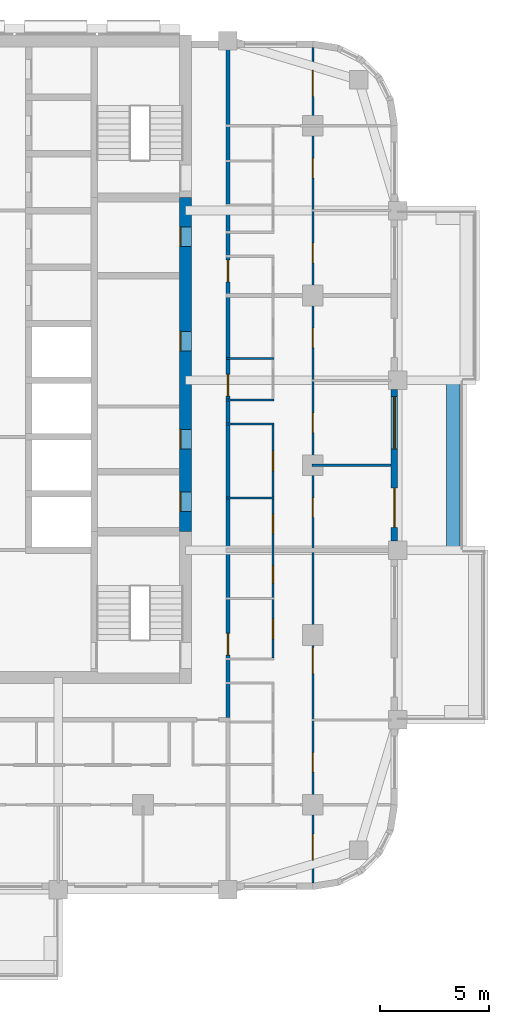
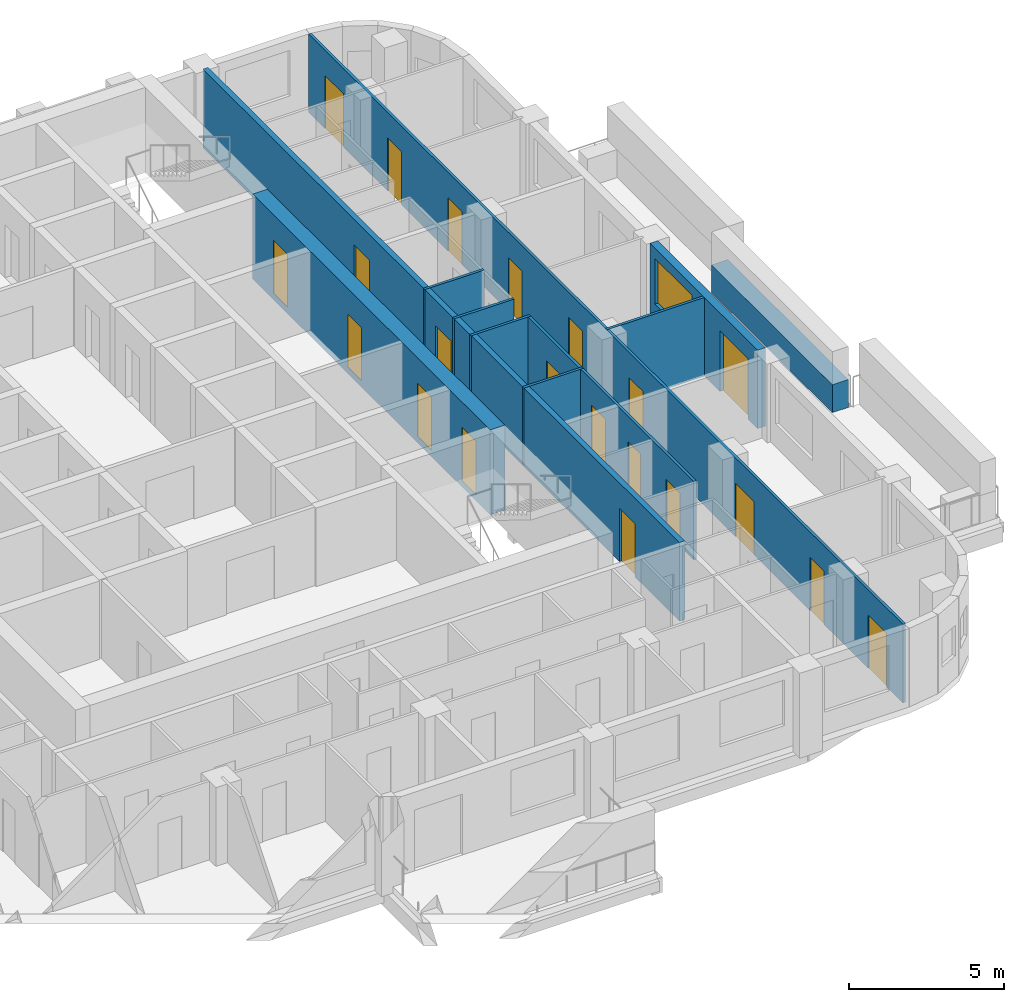
# One storey, part 7 of 14: 21 doors, 11 walls, 1 window, 22 openings.
"""IFC4 building model written with IfcOpenShell, lengths in metres."""

from ifc_helpers import new_model, si_unit, direction, frame, frame_2d, origin, place, context, subcontext, project, spatial, rectangle, extrude, material, layer, layer_set, type_object, element, fill, save


model = new_model("IFC4")

# Units and contexts
model_context = context("Model", 3, precision=1e-05, world=origin(), true_north=direction((0.0, 1.0)))
body_context = subcontext(model_context, "Body", "Model", "MODEL_VIEW")
ifc_project = project(units=[si_unit("LENGTHUNIT", "METRE"), si_unit("AREAUNIT", "SQUARE_METRE"), si_unit("VOLUMEUNIT", "CUBIC_METRE"), si_unit("PLANEANGLEUNIT", "RADIAN"), si_unit("MASSUNIT", "GRAM", prefix="KILO")], contexts=[model_context])

# Site, building, storey
site_placement = place(None, origin())
site = spatial("IfcSite", under=ifc_project, at=site_placement, CompositionType="ELEMENT")
building_placement = place(site_placement, origin())
building = spatial("IfcBuilding", under=site, at=building_placement, Name="Ludao Terraces", CompositionType="ELEMENT")
storey_placement = place(building_placement, frame((0.0, 0.0, 113.5)))
storey = spatial("IfcBuildingStorey", under=building, at=storey_placement, Name="L31", CompositionType="ELEMENT", Elevation=113.5)

# Wall, openings, doors
ifc_material_1 = material(Name="Concrete C60", Category="concrete")
ifc_layer_1 = layer(ifc_material_1, 0.550048828125)
ifc_layer_set_1 = layer_set([ifc_layer_1], Name="Core wall 550 C60")
wall_type_1 = type_object("IfcWallType", Name="Core wall 550 C60", PredefinedType="SOLIDWALL", material=ifc_layer_set_1)
wall_1_placement = place(storey_placement, frame((94.75, 61.949951171875, -0.25), z_axis=(0.0, 0.0, 1.0), x_axis=(0.0, 1.0, 0.0)))
wall_1 = element("IfcWall", 1, at=wall_1_placement, inside=storey, type_object=wall_type_1, Name="Core wall L31 outer-E", PredefinedType="SOLIDWALL", context=body_context, shape_type="SweptSolid", body=[
    extrude(rectangle(XDim=15.35009765625, YDim=0.550048828125, at=frame_2d((7.675048828125, 0.0))), origin(), (0.0, 0.0, 1.0), 3.35009765625),
])
opening_1_placement = place(wall_1_placement, frame((0.925048828125, 0.0, 0.25)))
opening_1 = element("IfcOpeningElement", 2, at=opening_1_placement, cuts=wall_1, Name="Opening R09-048", PredefinedType="OPENING", context=body_context, shape_type="SweptSolid", body=[
    extrude(rectangle(XDim=0.89990234375, YDim=2.10009765625, at=frame_2d((0.449951171875, 1.050048828125))), frame((0.0, 0.28515625, 0.0), z_axis=(0.0, -1.0, 0.0), x_axis=(1.0, 0.0, 0.0)), (0.0, 0.0, 1.0), 0.570068359375),
])
opening_2_placement = place(wall_1_placement, frame((3.800048828125, 0.0, 0.25)))
opening_2 = element("IfcOpeningElement", 3, at=opening_2_placement, cuts=wall_1, Name="Opening R09-053", PredefinedType="OPENING", context=body_context, shape_type="SweptSolid", body=[
    extrude(rectangle(XDim=0.89990234375, YDim=2.10009765625, at=frame_2d((0.449951171875, 1.050048828125))), frame((0.0, 0.28515625, 0.0), z_axis=(0.0, -1.0, 0.0), x_axis=(1.0, 0.0, 0.0)), (0.0, 0.0, 1.0), 0.570068359375),
])
opening_3_placement = place(wall_1_placement, frame((8.300048828125, 0.0, 0.25)))
opening_3 = element("IfcOpeningElement", 4, at=opening_3_placement, cuts=wall_1, Name="Opening R09-064", PredefinedType="OPENING", context=body_context, shape_type="SweptSolid", body=[
    extrude(rectangle(XDim=0.89990234375, YDim=2.10009765625, at=frame_2d((0.449951171875, 1.050048828125))), frame((0.0, 0.28515625, 0.0), z_axis=(0.0, -1.0, 0.0), x_axis=(1.0, 0.0, 0.0)), (0.0, 0.0, 1.0), 0.570068359375),
])
opening_4_placement = place(wall_1_placement, frame((13.10009765625, 0.0, 0.25)))
opening_4 = element("IfcOpeningElement", 5, at=opening_4_placement, cuts=wall_1, Name="Opening R09-080", PredefinedType="OPENING", context=body_context, shape_type="SweptSolid", body=[
    extrude(rectangle(XDim=0.89990234375, YDim=2.10009765625, at=frame_2d((0.449951171875, 1.050048828125))), frame((0.0, 0.28515625, 0.0), z_axis=(0.0, -1.0, 0.0), x_axis=(1.0, 0.0, 0.0)), (0.0, 0.0, 1.0), 0.570068359375),
])
ifc_material_2 = material(Name="Steel Q235", Category="steel")
door_type_1 = type_object("IfcDoorType", Name="INT Riser door 900", OperationType="SINGLE_SWING_LEFT", PredefinedType="DOOR", material=ifc_material_2)
door_1_placement = place(opening_1_placement, origin())
door_1 = element("IfcDoor", 6, at=door_1_placement, inside=storey, type_object=door_type_1, Name="DOOR 048", OperationType="SINGLE_SWING_LEFT", OverallHeight=2.10009765625, OverallWidth=0.89990234375, PredefinedType="DOOR", context=body_context, shape_type="SweptSolid", body=[
    extrude(rectangle(XDim=0.89990234375, YDim=2.10009765625, at=frame_2d((0.449951171875, 1.050048828125))), frame((0.0, 0.26025390625, 0.0), z_axis=(0.0, -1.0, 0.0), x_axis=(1.0, 0.0, 0.0)), (0.0, 0.0, 1.0), 0.050048828125),
])
fill(opening_1, door_1)
door_2_placement = place(opening_4_placement, origin())
door_2 = element("IfcDoor", 7, at=door_2_placement, inside=storey, type_object=door_type_1, Name="DOOR 080", OperationType="SINGLE_SWING_RIGHT", OverallHeight=2.10009765625, OverallWidth=0.89990234375, PredefinedType="DOOR", context=body_context, shape_type="SweptSolid", body=[
    extrude(rectangle(XDim=0.89990234375, YDim=2.10009765625, at=frame_2d((0.449951171875, 1.050048828125))), frame((0.0, 0.26025390625, 0.0), z_axis=(0.0, -1.0, 0.0), x_axis=(1.0, 0.0, 0.0)), (0.0, 0.0, 1.0), 0.050048828125),
])
fill(opening_4, door_2)
ifc_material_3 = material(Name="Timber door leaf", Category="wood")
door_type_2 = type_object("IfcDoorType", Name="INT Room door 900", OperationType="SINGLE_SWING_LEFT", PredefinedType="DOOR", material=ifc_material_3)
door_3_placement = place(opening_2_placement, origin())
door_3 = element("IfcDoor", 8, at=door_3_placement, inside=storey, type_object=door_type_2, Name="DOOR 053", OperationType="SINGLE_SWING_LEFT", OverallHeight=2.10009765625, OverallWidth=0.89990234375, PredefinedType="DOOR", context=body_context, shape_type="SweptSolid", body=[
    extrude(rectangle(XDim=0.89990234375, YDim=2.10009765625, at=frame_2d((0.449951171875, 1.050048828125))), frame((0.0, 0.26025390625, 0.0), z_axis=(0.0, -1.0, 0.0), x_axis=(1.0, 0.0, 0.0)), (0.0, 0.0, 1.0), 0.050048828125),
])
fill(opening_2, door_3)
door_4_placement = place(opening_3_placement, origin())
door_4 = element("IfcDoor", 9, at=door_4_placement, inside=storey, type_object=door_type_2, Name="DOOR 064", OperationType="SINGLE_SWING_RIGHT", OverallHeight=2.10009765625, OverallWidth=0.89990234375, PredefinedType="DOOR", context=body_context, shape_type="SweptSolid", body=[
    extrude(rectangle(XDim=0.89990234375, YDim=2.10009765625, at=frame_2d((0.449951171875, 1.050048828125))), frame((0.0, 0.26025390625, 0.0), z_axis=(0.0, -1.0, 0.0), x_axis=(1.0, 0.0, 0.0)), (0.0, 0.0, 1.0), 0.050048828125),
])
fill(opening_3, door_4)

# Wall
ifc_material_4 = material(Name="Concrete C40", Category="concrete")
ifc_layer_2 = layer(ifc_material_4, 0.60009765625)
ifc_layer_set_2 = layer_set([ifc_layer_2], Name="ENV Planter trough 600")
wall_type_2 = type_object("IfcWallType", Name="ENV Planter trough 600", PredefinedType="USERDEFINED", material=ifc_layer_set_2)
wall_2_placement = place(storey_placement, frame((107.050048828125, 61.10009765625, 0.0), z_axis=(0.0, 0.0, 1.0), x_axis=(0.0, 1.0, 0.0)))
element("IfcWall", 10, at=wall_2_placement, inside=storey, type_object=wall_type_2, Name="PL-L31-E2", ObjectType="PLANTER", PredefinedType="USERDEFINED", context=body_context, shape_type="SweptSolid", body=[
    extrude(rectangle(XDim=7.7998046875, YDim=0.60009765625, at=frame_2d((3.89990234375, 0.0))), origin(), (0.0, 0.0, 1.0), 1.10009765625),
])

# Wall, openings, door, window
ifc_material_5 = material(Name="Granite cladding", Category="masonry")
ifc_layer_3 = layer(ifc_material_5, 0.0400390625, Category="stone")
ifc_material_6 = material(Name="Mineral wool")
ifc_layer_4 = layer(ifc_material_6, 0.06005859375)
ifc_layer_5 = layer(ifc_material_4, 0.199951171875, Category="concrete")
ifc_layer_set_3 = layer_set([ifc_layer_3, ifc_layer_4, ifc_layer_5], Name="ENV Stone-clad wall 300")
wall_type_3 = type_object("IfcWallType", Name="ENV Stone-clad wall 300", PredefinedType="SOLIDWALL", material=ifc_layer_set_3)
wall_3_placement = place(storey_placement, frame((104.35009765625, 61.52490234375, 0.0), z_axis=(0.0, 0.0, 1.0), x_axis=(0.0, 1.0, 0.0)))
wall_3 = element("IfcWall", 11, at=wall_3_placement, inside=storey, type_object=wall_type_3, Name="EW-L31-E3", PredefinedType="SOLIDWALL", context=body_context, shape_type="SweptSolid", body=[
    extrude(rectangle(XDim=6.9501953125, YDim=0.300048828125, at=frame_2d((3.47509765625, 0.0))), origin(), (0.0, 0.0, 1.0), 3.10009765625),
])
opening_5_placement = place(wall_3_placement, frame((0.625, 0.0, 0.0)))
opening_5 = element("IfcOpeningElement", 12, at=opening_5_placement, cuts=wall_3, Name="Opening BD", PredefinedType="OPENING", context=body_context, shape_type="SweptSolid", body=[
    extrude(rectangle(XDim=1.800048828125, YDim=2.39990234375, at=frame_2d((0.89990234375, 1.199951171875))), frame((0.0, 0.16015625, 0.0), z_axis=(0.0, -1.0, 0.0), x_axis=(1.0, 0.0, 0.0)), (0.0, 0.0, 1.0), 0.320068359375),
])
opening_6_placement = place(wall_3_placement, frame((4.22509765625, 0.0, 0.89990234375)))
opening_6 = element("IfcOpeningElement", 13, at=opening_6_placement, cuts=wall_3, Name="Opening W1", PredefinedType="OPENING", context=body_context, shape_type="SweptSolid", body=[
    extrude(rectangle(XDim=2.39990234375, YDim=1.800048828125, at=frame_2d((1.199951171875, 0.89990234375))), frame((0.0, 0.16015625, 0.0), z_axis=(0.0, -1.0, 0.0), x_axis=(1.0, 0.0, 0.0)), (0.0, 0.0, 1.0), 0.320068359375),
])
ifc_material_7 = material(Name="Aluminium glazed door", Category="aluminium")
ifc_layer_6 = layer(ifc_material_7, 0.06005859375)
ifc_layer_set_4 = layer_set([ifc_layer_6], Name="ENV Balcony door BD 1800x2400")
door_type_3 = type_object("IfcDoorType", Name="ENV Balcony door BD 1800x2400", OperationType="DOUBLE_DOOR_SINGLE_SWING", PredefinedType="DOOR", material=ifc_layer_set_4)
door_5_placement = place(opening_5_placement, origin())
door_5 = element("IfcDoor", 14, at=door_5_placement, inside=storey, type_object=door_type_3, Name="BD-L31-E3-1", OperationType="DOUBLE_DOOR_SINGLE_SWING", OverallHeight=2.39990234375, OverallWidth=1.800048828125, PredefinedType="DOOR", context=body_context, shape_type="SweptSolid", body=[
    extrude(rectangle(XDim=1.800048828125, YDim=2.39990234375, at=frame_2d((0.89990234375, 1.199951171875))), frame((0.0, 0.02490234375, 0.0), z_axis=(0.0, -1.0, 0.0), x_axis=(1.0, 0.0, 0.0)), (0.0, 0.0, 1.0), 0.050048828125),
])
fill(opening_5, door_5)
ifc_material_8 = material(Name="Clear glass in aluminium frame", Category="aluminium")
ifc_layer_7 = layer(ifc_material_8, 0.06005859375)
ifc_layer_set_5 = layer_set([ifc_layer_7], Name="ENV Window W1 2400x1800")
window_type = type_object("IfcWindowType", Name="ENV Window W1 2400x1800", PartitioningType="DOUBLE_PANEL_VERTICAL", PredefinedType="WINDOW", material=ifc_layer_set_5)
window_placement = place(opening_6_placement, origin())
window = element("IfcWindow", 15, at=window_placement, inside=storey, type_object=window_type, Name="W-L31-E3-2", OverallHeight=1.800048828125, OverallWidth=2.39990234375, PartitioningType="DOUBLE_PANEL_VERTICAL", PredefinedType="WINDOW", context=body_context, shape_type="SweptSolid", body=[
    extrude(rectangle(XDim=2.39990234375, YDim=1.800048828125, at=frame_2d((1.199951171875, 0.89990234375))), frame((0.0, 0.030029296875, 0.0), z_axis=(0.0, -1.0, 0.0), x_axis=(1.0, 0.0, 0.0)), (0.0, 0.0, 1.0), 0.06005859375),
])
fill(opening_6, window)

# Wall, openings, doors
ifc_material_9 = material(Name="Autoclaved aerated concrete block B06 A3.5", Category="concrete")
ifc_layer_8 = layer(ifc_material_9, 0.199951171875)
ifc_layer_set_6 = layer_set([ifc_layer_8], Name="INT Entrance wall 200")
wall_type_4 = type_object("IfcWallType", Name="INT Entrance wall 200", PredefinedType="PARTITIONING", material=ifc_layer_set_6)
wall_4_placement = place(storey_placement, frame((96.699951171875, 53.400146484375, 0.0), z_axis=(0.0, 0.0, 1.0), x_axis=(0.0, 1.0, 0.0)))
wall_4 = element("IfcWall", 16, at=wall_4_placement, inside=storey, type_object=wall_type_4, Name="PW-L31-PW072", PredefinedType="PARTITIONING", context=body_context, shape_type="SweptSolid", body=[
    extrude(rectangle(XDim=30.800048828125, YDim=0.199951171875, at=frame_2d((15.39990234375, 0.0))), origin(), (0.0, 0.0, 1.0), 3.10009765625),
])
opening_7_placement = place(wall_4_placement, frame((2.875, 0.0, 0.0)))
opening_7 = element("IfcOpeningElement", 17, at=opening_7_placement, cuts=wall_4, Name="Opening R09-034", PredefinedType="OPENING", context=body_context, shape_type="SweptSolid", body=[
    extrude(rectangle(XDim=1.0, YDim=2.10009765625, at=frame_2d((0.5, 1.050048828125))), frame((0.0, 0.10986328125, 0.0), z_axis=(0.0, -1.0, 0.0), x_axis=(1.0, 0.0, 0.0)), (0.0, 0.0, 1.0), 0.219970703125),
])
opening_8_placement = place(wall_4_placement, frame((14.77490234375, 0.0, 0.0)))
opening_8 = element("IfcOpeningElement", 18, at=opening_8_placement, cuts=wall_4, Name="Opening R09-058", PredefinedType="OPENING", context=body_context, shape_type="SweptSolid", body=[
    extrude(rectangle(XDim=1.0, YDim=2.10009765625, at=frame_2d((0.5, 1.050048828125))), frame((0.0, 0.10986328125, 0.0), z_axis=(0.0, -1.0, 0.0), x_axis=(1.0, 0.0, 0.0)), (0.0, 0.0, 1.0), 0.219970703125),
])
opening_9_placement = place(wall_4_placement, frame((20.02490234375, 0.0, 0.0)))
opening_9 = element("IfcOpeningElement", 19, at=opening_9_placement, cuts=wall_4, Name="Opening R09-073", PredefinedType="OPENING", context=body_context, shape_type="SweptSolid", body=[
    extrude(rectangle(XDim=1.0, YDim=2.10009765625, at=frame_2d((0.5, 1.050048828125))), frame((0.0, 0.10986328125, 0.0), z_axis=(0.0, -1.0, 0.0), x_axis=(1.0, 0.0, 0.0)), (0.0, 0.0, 1.0), 0.219970703125),
])
door_type_4 = type_object("IfcDoorType", Name="INT Flat entrance door 1000", OperationType="SINGLE_SWING_LEFT", PredefinedType="DOOR", material=ifc_material_2)
door_6_placement = place(opening_7_placement, origin())
door_6 = element("IfcDoor", 20, at=door_6_placement, inside=storey, type_object=door_type_4, Name="DOOR 034", OperationType="SINGLE_SWING_LEFT", OverallHeight=2.10009765625, OverallWidth=1.0, PredefinedType="DOOR", context=body_context, shape_type="SweptSolid", body=[
    extrude(rectangle(XDim=1.0, YDim=2.10009765625, at=frame_2d((0.5, 1.050048828125))), frame((0.0, 0.02490234375, 0.0), z_axis=(0.0, -1.0, 0.0), x_axis=(1.0, 0.0, 0.0)), (0.0, 0.0, 1.0), 0.050048828125),
])
fill(opening_7, door_6)
door_7_placement = place(opening_8_placement, origin())
door_7 = element("IfcDoor", 21, at=door_7_placement, inside=storey, type_object=door_type_4, Name="DOOR 058", OperationType="SINGLE_SWING_LEFT", OverallHeight=2.10009765625, OverallWidth=1.0, PredefinedType="DOOR", context=body_context, shape_type="SweptSolid", body=[
    extrude(rectangle(XDim=1.0, YDim=2.10009765625, at=frame_2d((0.5, 1.050048828125))), frame((0.0, 0.02490234375, 0.0), z_axis=(0.0, -1.0, 0.0), x_axis=(1.0, 0.0, 0.0)), (0.0, 0.0, 1.0), 0.050048828125),
])
fill(opening_8, door_7)
door_8_placement = place(opening_9_placement, origin())
door_8 = element("IfcDoor", 22, at=door_8_placement, inside=storey, type_object=door_type_4, Name="DOOR 073", OperationType="SINGLE_SWING_RIGHT", OverallHeight=2.10009765625, OverallWidth=1.0, PredefinedType="DOOR", context=body_context, shape_type="SweptSolid", body=[
    extrude(rectangle(XDim=1.0, YDim=2.10009765625, at=frame_2d((0.5, 1.050048828125))), frame((0.0, 0.02490234375, 0.0), z_axis=(0.0, -1.0, 0.0), x_axis=(1.0, 0.0, 0.0)), (0.0, 0.0, 1.0), 0.050048828125),
])
fill(opening_9, door_8)

# Walls
ifc_material_10 = material(Name="Gypsum plasterboard", Category="gypsum")
ifc_layer_9 = layer(ifc_material_10, 0.012451171875, Category="gypsum")
ifc_layer_10 = layer(ifc_material_6, 0.06005859375, Name="insulation")
ifc_layer_11 = layer(ifc_material_2, 0.014892578125, Name="stud")
ifc_layer_12 = layer(ifc_material_10, 0.012451171875, Category="gypsum")
ifc_layer_set_7 = layer_set([ifc_layer_9, ifc_layer_10, ifc_layer_11, ifc_layer_12], Name="INT Partition 100")
wall_type_5 = type_object("IfcWallType", Name="INT Partition 100", PredefinedType="PARTITIONING", material=ifc_layer_set_7)
wall_5_placement = place(storey_placement, frame((96.60009765625, 63.5, 0.0), z_axis=(0.0, 0.0, 1.0), x_axis=(1.0, 0.0, 0.0)))
element("IfcWall", 23, at=wall_5_placement, inside=storey, type_object=wall_type_5, Name="PW-L31-PW020", PredefinedType="PARTITIONING", context=body_context, shape_type="SweptSolid", body=[
    extrude(rectangle(XDim=2.219970703125, YDim=0.10009765625, at=frame_2d((1.10986328125, 0.0))), origin(), (0.0, 0.0, 1.0), 3.10009765625),
])
wall_6_placement = place(storey_placement, frame((100.550048828125, 65.0, 0.0), z_axis=(0.0, 0.0, 1.0), x_axis=(1.0, 0.0, 0.0)))
element("IfcWall", 24, at=wall_6_placement, inside=storey, type_object=wall_type_5, Name="PW-L31-PW023", PredefinedType="PARTITIONING", context=body_context, shape_type="SweptSolid", body=[
    extrude(rectangle(XDim=3.650146484375, YDim=0.10009765625, at=frame_2d((1.8251953125, 0.0))), origin(), (0.0, 0.0, 1.0), 3.10009765625),
])
for number, where, z_axis, x_axis, name in (
    (25, (96.60009765625, 66.89990234375, 0.0), (0.0, 0.0, 1.0), (1.0, 0.0, 0.0), "PW-L31-PW025"),
    (26, (96.60009765625, 68.0, 0.0), (0.0, 0.0, 1.0), (1.0, 0.0, 0.0), "PW-L31-PW029"),
    (27, (96.60009765625, 69.89990234375, 0.0), (0.0, 0.0, 1.0), (1.0, 0.0, 0.0), "PW-L31-PW033"),
):
    element("IfcWall", number, at=place(storey_placement, frame(where, z_axis=z_axis, x_axis=x_axis)), inside=storey, type_object=wall_type_5, Name=name, PredefinedType="PARTITIONING", context=body_context, shape_type="SweptSolid", body=[
        extrude(rectangle(XDim=2.219970703125, YDim=0.10009765625, at=frame_2d((1.10986328125, 0.0))), origin(), (0.0, 0.0, 1.0), 3.10009765625),
    ])

# Wall, openings, doors
wall_7_placement = place(storey_placement, frame((98.77001953125, 56.150146484375, 0.0), z_axis=(0.0, 0.0, 1.0), x_axis=(0.0, 1.0, 0.0)))
wall_7 = element("IfcWall", 28, at=wall_7_placement, inside=storey, type_object=wall_type_5, Name="PW-L31-PW074", PredefinedType="PARTITIONING", context=body_context, shape_type="SweptSolid", body=[
    extrude(rectangle(XDim=10.699951171875, YDim=0.10009765625, at=frame_2d((5.35009765625, 0.0))), origin(), (0.0, 0.0, 1.0), 3.10009765625),
])
opening_10_placement = place(wall_7_placement, frame((0.885009765625, 0.0, 0.0)))
opening_10 = element("IfcOpeningElement", 29, at=opening_10_placement, cuts=wall_7, Name="Opening R09-036", PredefinedType="OPENING", context=body_context, shape_type="SweptSolid", body=[
    extrude(rectangle(XDim=0.89990234375, YDim=2.10009765625, at=frame_2d((0.449951171875, 1.050048828125))), frame((0.0, 0.06005859375, 0.0), z_axis=(0.0, -1.0, 0.0), x_axis=(1.0, 0.0, 0.0)), (0.0, 0.0, 1.0), 0.1201171875),
])
opening_11_placement = place(wall_7_placement, frame((3.43505859375, 0.0, 0.0)))
opening_11 = element("IfcOpeningElement", 30, at=opening_11_placement, cuts=wall_7, Name="Opening R09-040", PredefinedType="OPENING", context=body_context, shape_type="SweptSolid", body=[
    extrude(rectangle(XDim=0.800048828125, YDim=2.10009765625, at=frame_2d((0.39990234375, 1.050048828125))), frame((0.0, 0.06005859375, 0.0), z_axis=(0.0, -1.0, 0.0), x_axis=(1.0, 0.0, 0.0)), (0.0, 0.0, 1.0), 0.1201171875),
])
opening_12_placement = place(wall_7_placement, frame((5.699951171875, 0.0, 0.0)))
opening_12 = element("IfcOpeningElement", 31, at=opening_12_placement, cuts=wall_7, Name="Opening R09-042", PredefinedType="OPENING", context=body_context, shape_type="SweptSolid", body=[
    extrude(rectangle(XDim=0.89990234375, YDim=2.10009765625, at=frame_2d((0.449951171875, 1.050048828125))), frame((0.0, 0.06005859375, 0.0), z_axis=(0.0, -1.0, 0.0), x_axis=(1.0, 0.0, 0.0)), (0.0, 0.0, 1.0), 0.1201171875),
])
opening_13_placement = place(wall_7_placement, frame((8.60009765625, 0.0, 0.0)))
opening_13 = element("IfcOpeningElement", 32, at=opening_13_placement, cuts=wall_7, Name="Opening R09-050", PredefinedType="OPENING", context=body_context, shape_type="SweptSolid", body=[
    extrude(rectangle(XDim=0.89990234375, YDim=2.10009765625, at=frame_2d((0.449951171875, 1.050048828125))), frame((0.0, 0.06005859375, 0.0), z_axis=(0.0, -1.0, 0.0), x_axis=(1.0, 0.0, 0.0)), (0.0, 0.0, 1.0), 0.1201171875),
])
door_type_5 = type_object("IfcDoorType", Name="INT Bathroom door 900", OperationType="SINGLE_SWING_LEFT", PredefinedType="DOOR", material=ifc_material_3)
door_9_placement = place(opening_12_placement, origin())
door_9 = element("IfcDoor", 33, at=door_9_placement, inside=storey, type_object=door_type_5, Name="DOOR 042", OperationType="SINGLE_SWING_LEFT", OverallHeight=2.10009765625, OverallWidth=0.89990234375, PredefinedType="DOOR", context=body_context, shape_type="SweptSolid", body=[
    extrude(rectangle(XDim=0.89990234375, YDim=2.10009765625, at=frame_2d((0.449951171875, 1.050048828125))), frame((0.0, 0.02490234375, 0.0), z_axis=(0.0, -1.0, 0.0), x_axis=(1.0, 0.0, 0.0)), (0.0, 0.0, 1.0), 0.050048828125),
])
fill(opening_12, door_9)
door_10_placement = place(opening_10_placement, origin())
door_10 = element("IfcDoor", 34, at=door_10_placement, inside=storey, type_object=door_type_2, Name="DOOR 036", OperationType="SINGLE_SWING_LEFT", OverallHeight=2.10009765625, OverallWidth=0.89990234375, PredefinedType="DOOR", context=body_context, shape_type="SweptSolid", body=[
    extrude(rectangle(XDim=0.89990234375, YDim=2.10009765625, at=frame_2d((0.449951171875, 1.050048828125))), frame((0.0, 0.02490234375, 0.0), z_axis=(0.0, -1.0, 0.0), x_axis=(1.0, 0.0, 0.0)), (0.0, 0.0, 1.0), 0.050048828125),
])
fill(opening_10, door_10)
door_11_placement = place(opening_13_placement, origin())
door_11 = element("IfcDoor", 35, at=door_11_placement, inside=storey, type_object=door_type_2, Name="DOOR 050", OperationType="SINGLE_SWING_LEFT", OverallHeight=2.10009765625, OverallWidth=0.89990234375, PredefinedType="DOOR", context=body_context, shape_type="SweptSolid", body=[
    extrude(rectangle(XDim=0.89990234375, YDim=2.10009765625, at=frame_2d((0.449951171875, 1.050048828125))), frame((0.0, 0.02490234375, 0.0), z_axis=(0.0, -1.0, 0.0), x_axis=(1.0, 0.0, 0.0)), (0.0, 0.0, 1.0), 0.050048828125),
])
fill(opening_13, door_11)
door_type_6 = type_object("IfcDoorType", Name="INT Store door 800", OperationType="SINGLE_SWING_LEFT", PredefinedType="DOOR", material=ifc_material_3)
door_12_placement = place(opening_11_placement, origin())
door_12 = element("IfcDoor", 36, at=door_12_placement, inside=storey, type_object=door_type_6, Name="DOOR 040", OperationType="SINGLE_SWING_RIGHT", OverallHeight=2.10009765625, OverallWidth=0.800048828125, PredefinedType="DOOR", context=body_context, shape_type="SweptSolid", body=[
    extrude(rectangle(XDim=0.800048828125, YDim=2.10009765625, at=frame_2d((0.39990234375, 1.050048828125))), frame((0.0, 0.02490234375, 0.0), z_axis=(0.0, -1.0, 0.0), x_axis=(1.0, 0.0, 0.0)), (0.0, 0.0, 1.0), 0.050048828125),
])
fill(opening_11, door_12)

wall_8_placement = place(storey_placement, frame((100.60009765625, 45.800048828125, 0.0), z_axis=(0.0, 0.0, 1.0), x_axis=(0.0, 1.0, 0.0)))
wall_8 = element("IfcWall", 37, at=wall_8_placement, inside=storey, type_object=wall_type_5, Name="PW-L31-PW077", PredefinedType="PARTITIONING", context=body_context, shape_type="SweptSolid", body=[
    extrude(rectangle(XDim=38.400146484375, YDim=0.10009765625, at=frame_2d((19.2001953125, 0.0))), origin(), (0.0, 0.0, 1.0), 3.10009765625),
])
opening_14_placement = place(wall_8_placement, frame((1.050048828125, 0.0, 0.0)))
opening_14 = element("IfcOpeningElement", 38, at=opening_14_placement, cuts=wall_8, Name="Opening R09-002", PredefinedType="OPENING", context=body_context, shape_type="SweptSolid", body=[
    extrude(rectangle(XDim=1.199951171875, YDim=2.10009765625, at=frame_2d((0.60009765625, 1.050048828125))), frame((0.0, 0.06005859375, 0.0), z_axis=(0.0, -1.0, 0.0), x_axis=(1.0, 0.0, 0.0)), (0.0, 0.0, 1.0), 0.1201171875),
])
opening_15_placement = place(wall_8_placement, frame((5.10009765625, 0.0, 0.0)))
opening_15 = element("IfcOpeningElement", 39, at=opening_15_placement, cuts=wall_8, Name="Opening R09-022", PredefinedType="OPENING", context=body_context, shape_type="SweptSolid", body=[
    extrude(rectangle(XDim=0.89990234375, YDim=2.10009765625, at=frame_2d((0.449951171875, 1.050048828125))), frame((0.0, 0.06005859375, 0.0), z_axis=(0.0, -1.0, 0.0), x_axis=(1.0, 0.0, 0.0)), (0.0, 0.0, 1.0), 0.1201171875),
])
opening_16_placement = place(wall_8_placement, frame((9.625, 0.0, 0.0)))
opening_16 = element("IfcOpeningElement", 40, at=opening_16_placement, cuts=wall_8, Name="Opening R09-031", PredefinedType="OPENING", context=body_context, shape_type="SweptSolid", body=[
    extrude(rectangle(XDim=1.199951171875, YDim=2.10009765625, at=frame_2d((0.60009765625, 1.050048828125))), frame((0.0, 0.06005859375, 0.0), z_axis=(0.0, -1.0, 0.0), x_axis=(1.0, 0.0, 0.0)), (0.0, 0.0, 1.0), 0.1201171875),
])
opening_17_placement = place(wall_8_placement, frame((16.800048828125, 0.0, 0.0)))
opening_17 = element("IfcOpeningElement", 41, at=opening_17_placement, cuts=wall_8, Name="Opening R09-047", PredefinedType="OPENING", context=body_context, shape_type="SweptSolid", body=[
    extrude(rectangle(XDim=0.89990234375, YDim=2.10009765625, at=frame_2d((0.449951171875, 1.050048828125))), frame((0.0, 0.06005859375, 0.0), z_axis=(0.0, -1.0, 0.0), x_axis=(1.0, 0.0, 0.0)), (0.0, 0.0, 1.0), 0.1201171875),
])
opening_18_placement = place(wall_8_placement, frame((20.699951171875, 0.0, 0.0)))
opening_18 = element("IfcOpeningElement", 42, at=opening_18_placement, cuts=wall_8, Name="Opening R09-056", PredefinedType="OPENING", context=body_context, shape_type="SweptSolid", body=[
    extrude(rectangle(XDim=0.89990234375, YDim=2.10009765625, at=frame_2d((0.449951171875, 1.050048828125))), frame((0.0, 0.06005859375, 0.0), z_axis=(0.0, -1.0, 0.0), x_axis=(1.0, 0.0, 0.0)), (0.0, 0.0, 1.0), 0.1201171875),
])
opening_19_placement = place(wall_8_placement, frame((24.60009765625, 0.0, 0.0)))
opening_19 = element("IfcOpeningElement", 43, at=opening_19_placement, cuts=wall_8, Name="Opening R09-066", PredefinedType="OPENING", context=body_context, shape_type="SweptSolid", body=[
    extrude(rectangle(XDim=0.89990234375, YDim=2.10009765625, at=frame_2d((0.449951171875, 1.050048828125))), frame((0.0, 0.06005859375, 0.0), z_axis=(0.0, -1.0, 0.0), x_axis=(1.0, 0.0, 0.0)), (0.0, 0.0, 1.0), 0.1201171875),
])
opening_20_placement = place(wall_8_placement, frame((28.5, 0.0, 0.0)))
opening_20 = element("IfcOpeningElement", 44, at=opening_20_placement, cuts=wall_8, Name="Opening R09-075", PredefinedType="OPENING", context=body_context, shape_type="SweptSolid", body=[
    extrude(rectangle(XDim=0.89990234375, YDim=2.10009765625, at=frame_2d((0.449951171875, 1.050048828125))), frame((0.0, 0.06005859375, 0.0), z_axis=(0.0, -1.0, 0.0), x_axis=(1.0, 0.0, 0.0)), (0.0, 0.0, 1.0), 0.1201171875),
])
opening_21_placement = place(wall_8_placement, frame((32.39990234375, 0.0, 0.0)))
opening_21 = element("IfcOpeningElement", 45, at=opening_21_placement, cuts=wall_8, Name="Opening R09-090", PredefinedType="OPENING", context=body_context, shape_type="SweptSolid", body=[
    extrude(rectangle(XDim=0.89990234375, YDim=2.10009765625, at=frame_2d((0.449951171875, 1.050048828125))), frame((0.0, 0.06005859375, 0.0), z_axis=(0.0, -1.0, 0.0), x_axis=(1.0, 0.0, 0.0)), (0.0, 0.0, 1.0), 0.1201171875),
])
opening_22_placement = place(wall_8_placement, frame((36.14990234375, 0.0, 0.0)))
opening_22 = element("IfcOpeningElement", 46, at=opening_22_placement, cuts=wall_8, Name="Opening R09-099", PredefinedType="OPENING", context=body_context, shape_type="SweptSolid", body=[
    extrude(rectangle(XDim=1.199951171875, YDim=2.10009765625, at=frame_2d((0.60009765625, 1.050048828125))), frame((0.0, 0.06005859375, 0.0), z_axis=(0.0, -1.0, 0.0), x_axis=(1.0, 0.0, 0.0)), (0.0, 0.0, 1.0), 0.1201171875),
])
door_type_7 = type_object("IfcDoorType", Name="INT Double door 1200", OperationType="DOUBLE_DOOR_SINGLE_SWING", PredefinedType="DOOR", material=ifc_material_3)
door_13_placement = place(opening_14_placement, origin())
door_13 = element("IfcDoor", 47, at=door_13_placement, inside=storey, type_object=door_type_7, Name="DOOR 002", OperationType="DOUBLE_DOOR_SINGLE_SWING", OverallHeight=2.10009765625, OverallWidth=1.199951171875, PredefinedType="DOOR", context=body_context, shape_type="SweptSolid", body=[
    extrude(rectangle(XDim=1.199951171875, YDim=2.10009765625, at=frame_2d((0.60009765625, 1.050048828125))), frame((0.0, 0.02490234375, 0.0), z_axis=(0.0, -1.0, 0.0), x_axis=(1.0, 0.0, 0.0)), (0.0, 0.0, 1.0), 0.050048828125),
])
fill(opening_14, door_13)
door_14_placement = place(opening_16_placement, origin())
door_14 = element("IfcDoor", 48, at=door_14_placement, inside=storey, type_object=door_type_7, Name="DOOR 031", OperationType="DOUBLE_DOOR_SINGLE_SWING", OverallHeight=2.10009765625, OverallWidth=1.199951171875, PredefinedType="DOOR", context=body_context, shape_type="SweptSolid", body=[
    extrude(rectangle(XDim=1.199951171875, YDim=2.10009765625, at=frame_2d((0.60009765625, 1.050048828125))), frame((0.0, 0.02490234375, 0.0), z_axis=(0.0, -1.0, 0.0), x_axis=(1.0, 0.0, 0.0)), (0.0, 0.0, 1.0), 0.050048828125),
])
fill(opening_16, door_14)
door_15_placement = place(opening_22_placement, origin())
door_15 = element("IfcDoor", 49, at=door_15_placement, inside=storey, type_object=door_type_7, Name="DOOR 099", OperationType="DOUBLE_DOOR_SINGLE_SWING", OverallHeight=2.10009765625, OverallWidth=1.199951171875, PredefinedType="DOOR", context=body_context, shape_type="SweptSolid", body=[
    extrude(rectangle(XDim=1.199951171875, YDim=2.10009765625, at=frame_2d((0.60009765625, 1.050048828125))), frame((0.0, 0.02490234375, 0.0), z_axis=(0.0, -1.0, 0.0), x_axis=(1.0, 0.0, 0.0)), (0.0, 0.0, 1.0), 0.050048828125),
])
fill(opening_22, door_15)
door_16_placement = place(opening_15_placement, origin())
door_16 = element("IfcDoor", 50, at=door_16_placement, inside=storey, type_object=door_type_2, Name="DOOR 022", OperationType="SINGLE_SWING_LEFT", OverallHeight=2.10009765625, OverallWidth=0.89990234375, PredefinedType="DOOR", context=body_context, shape_type="SweptSolid", body=[
    extrude(rectangle(XDim=0.89990234375, YDim=2.10009765625, at=frame_2d((0.449951171875, 1.050048828125))), frame((0.0, 0.02490234375, 0.0), z_axis=(0.0, -1.0, 0.0), x_axis=(1.0, 0.0, 0.0)), (0.0, 0.0, 1.0), 0.050048828125),
])
fill(opening_15, door_16)
door_17_placement = place(opening_17_placement, origin())
door_17 = element("IfcDoor", 51, at=door_17_placement, inside=storey, type_object=door_type_2, Name="DOOR 047", OperationType="SINGLE_SWING_LEFT", OverallHeight=2.10009765625, OverallWidth=0.89990234375, PredefinedType="DOOR", context=body_context, shape_type="SweptSolid", body=[
    extrude(rectangle(XDim=0.89990234375, YDim=2.10009765625, at=frame_2d((0.449951171875, 1.050048828125))), frame((0.0, 0.02490234375, 0.0), z_axis=(0.0, -1.0, 0.0), x_axis=(1.0, 0.0, 0.0)), (0.0, 0.0, 1.0), 0.050048828125),
])
fill(opening_17, door_17)
door_18_placement = place(opening_18_placement, origin())
door_18 = element("IfcDoor", 52, at=door_18_placement, inside=storey, type_object=door_type_2, Name="DOOR 056", OperationType="SINGLE_SWING_LEFT", OverallHeight=2.10009765625, OverallWidth=0.89990234375, PredefinedType="DOOR", context=body_context, shape_type="SweptSolid", body=[
    extrude(rectangle(XDim=0.89990234375, YDim=2.10009765625, at=frame_2d((0.449951171875, 1.050048828125))), frame((0.0, 0.02490234375, 0.0), z_axis=(0.0, -1.0, 0.0), x_axis=(1.0, 0.0, 0.0)), (0.0, 0.0, 1.0), 0.050048828125),
])
fill(opening_18, door_18)
door_19_placement = place(opening_19_placement, origin())
door_19 = element("IfcDoor", 53, at=door_19_placement, inside=storey, type_object=door_type_2, Name="DOOR 066", OperationType="SINGLE_SWING_RIGHT", OverallHeight=2.10009765625, OverallWidth=0.89990234375, PredefinedType="DOOR", context=body_context, shape_type="SweptSolid", body=[
    extrude(rectangle(XDim=0.89990234375, YDim=2.10009765625, at=frame_2d((0.449951171875, 1.050048828125))), frame((0.0, 0.02490234375, 0.0), z_axis=(0.0, -1.0, 0.0), x_axis=(1.0, 0.0, 0.0)), (0.0, 0.0, 1.0), 0.050048828125),
])
fill(opening_19, door_19)
door_20_placement = place(opening_20_placement, origin())
door_20 = element("IfcDoor", 54, at=door_20_placement, inside=storey, type_object=door_type_2, Name="DOOR 075", OperationType="SINGLE_SWING_LEFT", OverallHeight=2.10009765625, OverallWidth=0.89990234375, PredefinedType="DOOR", context=body_context, shape_type="SweptSolid", body=[
    extrude(rectangle(XDim=0.89990234375, YDim=2.10009765625, at=frame_2d((0.449951171875, 1.050048828125))), frame((0.0, 0.02490234375, 0.0), z_axis=(0.0, -1.0, 0.0), x_axis=(1.0, 0.0, 0.0)), (0.0, 0.0, 1.0), 0.050048828125),
])
fill(opening_20, door_20)
door_21_placement = place(opening_21_placement, origin())
door_21 = element("IfcDoor", 55, at=door_21_placement, inside=storey, type_object=door_type_2, Name="DOOR 090", OperationType="SINGLE_SWING_RIGHT", OverallHeight=2.10009765625, OverallWidth=0.89990234375, PredefinedType="DOOR", context=body_context, shape_type="SweptSolid", body=[
    extrude(rectangle(XDim=0.89990234375, YDim=2.10009765625, at=frame_2d((0.449951171875, 1.050048828125))), frame((0.0, 0.02490234375, 0.0), z_axis=(0.0, -1.0, 0.0), x_axis=(1.0, 0.0, 0.0)), (0.0, 0.0, 1.0), 0.050048828125),
])
fill(opening_21, door_21)

save(model, "model.ifc")
